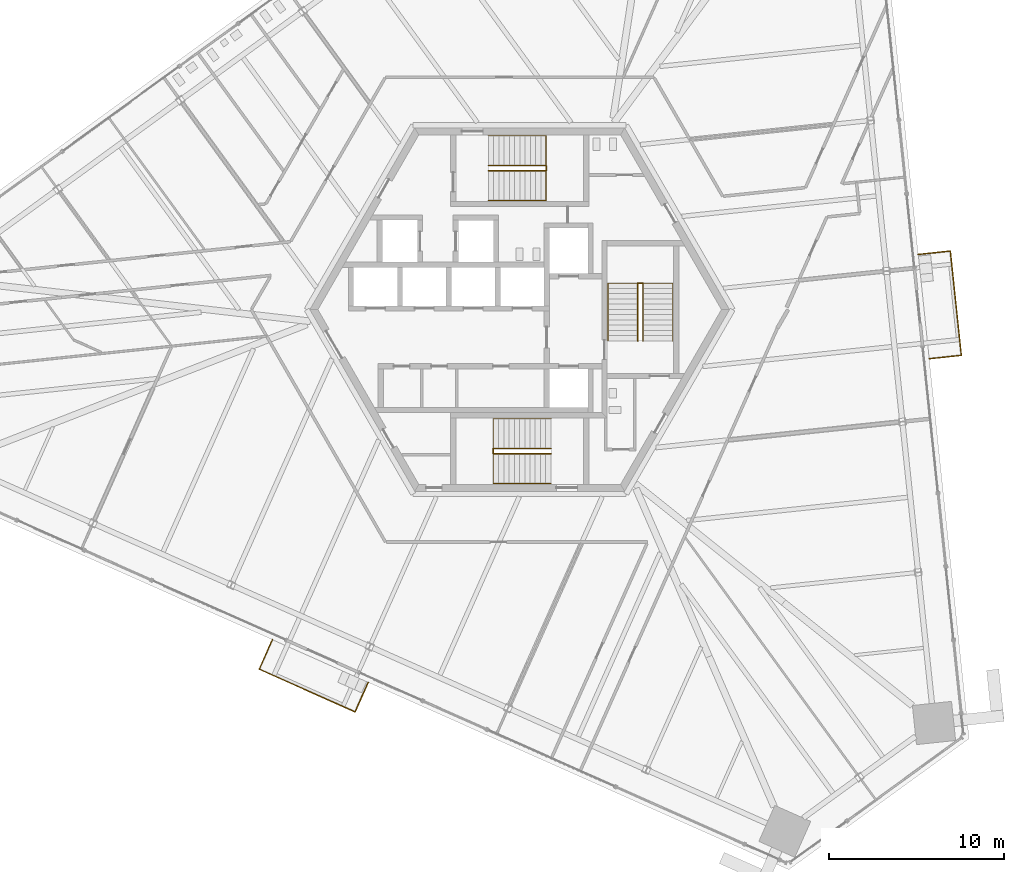
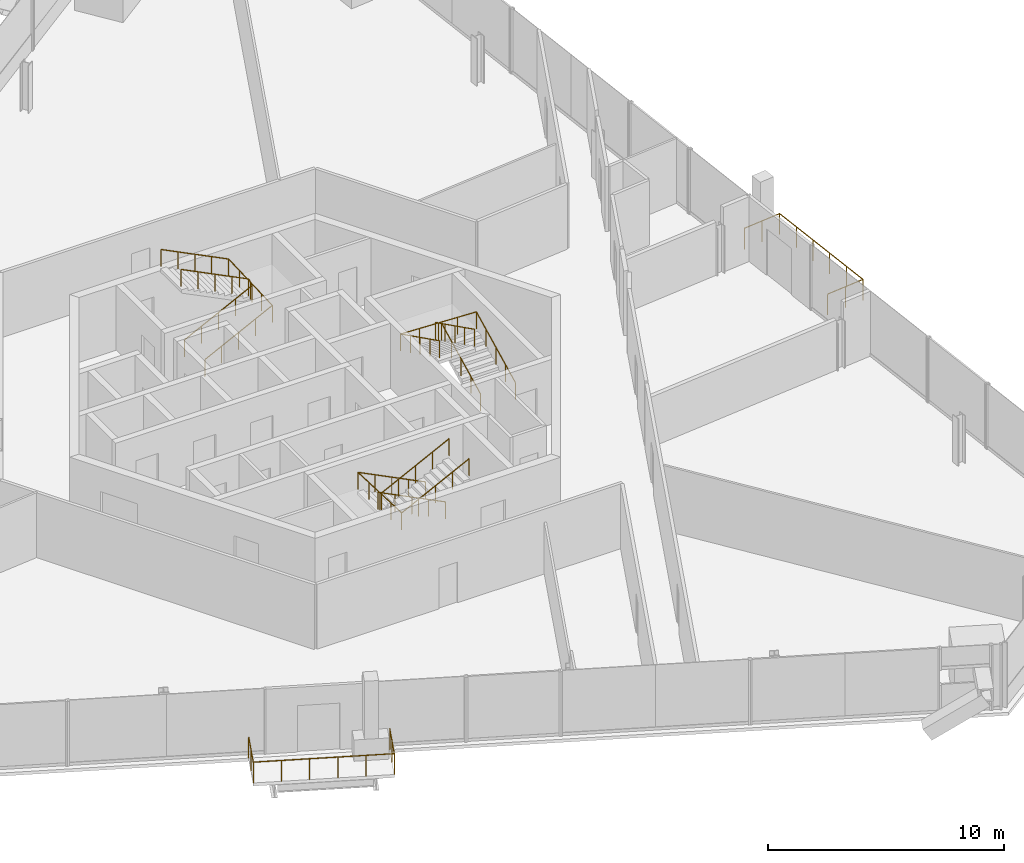
# One storey, part 22 of 25: 8 railings.
"""IFC4 building model written with IfcOpenShell, lengths in metres."""

from ifc_helpers import new_model, si_unit, direction, frame, origin, origin_2d, place, context, subcontext, project, spatial, circle, extrude, source, transform, mapped, material, type_object, element, save


model = new_model("IFC4")

# Units and contexts
model_context = context("Model", 3, precision=1e-05, world=origin(), true_north=direction((0.0, 1.0)))
body_context = subcontext(model_context, "Body", "Model", "MODEL_VIEW")
ifc_project = project(units=[si_unit("LENGTHUNIT", "METRE"), si_unit("AREAUNIT", "SQUARE_METRE"), si_unit("VOLUMEUNIT", "CUBIC_METRE"), si_unit("PLANEANGLEUNIT", "RADIAN"), si_unit("MASSUNIT", "GRAM", prefix="KILO")], contexts=[model_context])

# Site, building, storey
site_placement = place(None, origin())
site = spatial("IfcSite", under=ifc_project, at=site_placement, CompositionType="ELEMENT")
building_placement = place(site_placement, origin())
building = spatial("IfcBuilding", under=site, at=building_placement, Name="Triune Harvest Tower", CompositionType="ELEMENT")
storey_placement = place(building_placement, frame((0.0, 0.0, 90.89990234375)))
storey = spatial("IfcBuildingStorey", under=building, at=storey_placement, Name="L22", CompositionType="ELEMENT", Elevation=90.89990234375)

# Railings
ifc_material_1 = material(Name="Stainless steel AISI 316", Category="steel")
railing_type_1 = type_object("IfcRailingType", Name="Stair handrail", PredefinedType="HANDRAIL", material=ifc_material_1)
shared_shape_1 = source(origin(), body_context, "Body", "SweptSolid", [
    extrude(circle(Radius=0.02392578125, at=origin_2d()), frame((0.0, 0.0, 0.8759765625), z_axis=(0.894440424912, 0.0, 0.447187126696), x_axis=(0.0, 1.0, 0.0)), (0.0, 0.0, 1.0), 3.689453125),
    extrude(circle(Radius=0.02392578125, at=origin_2d()), frame((3.300048828125, 0.0, 2.52587890625), z_axis=(0.0, 0.999177620331, 0.040547293732), x_axis=(-1.0, 0.0, 0.0)), (0.0, 0.0, 1.0), 3.702880859375),
    extrude(circle(Radius=0.02392578125, at=origin_2d()), frame((3.300048828125, 3.699951171875, 2.67578125), z_axis=(-0.894440424912, 0.0, 0.447187126696), x_axis=(0.0, -1.0, 0.0)), (0.0, 0.0, 1.0), 3.689453125),
    extrude(circle(Radius=0.02099609375, at=origin_2d()), origin(), (0.0, 0.0, 1.0), 0.851806640625),
    extrude(circle(Radius=0.02099609375, at=origin_2d()), frame((0.824951171875, 0.0, 0.41259765625)), (0.0, 0.0, 1.0), 0.851806640625),
    extrude(circle(Radius=0.02099609375, at=origin_2d()), frame((1.64990234375, 0.0, 0.824951171875)), (0.0, 0.0, 1.0), 0.851806640625),
    extrude(circle(Radius=0.02099609375, at=origin_2d()), frame((2.47509765625, 0.0, 1.2373046875)), (0.0, 0.0, 1.0), 0.851806640625),
    extrude(circle(Radius=0.02099609375, at=origin_2d()), frame((3.300048828125, 0.0, 1.64990234375)), (0.0, 0.0, 1.0), 0.851806640625),
    extrude(circle(Radius=0.02099609375, at=origin_2d()), frame((3.300048828125, 0.925048828125, 1.6875)), (0.0, 0.0, 1.0), 0.851806640625),
    extrude(circle(Radius=0.02099609375, at=origin_2d()), frame((3.300048828125, 1.85009765625, 1.72509765625)), (0.0, 0.0, 1.0), 0.851806640625),
    extrude(circle(Radius=0.02099609375, at=origin_2d()), frame((3.300048828125, 2.77490234375, 1.762451171875)), (0.0, 0.0, 1.0), 0.851806640625),
    extrude(circle(Radius=0.02099609375, at=origin_2d()), frame((3.300048828125, 3.699951171875, 1.800048828125)), (0.0, 0.0, 1.0), 0.851806640625),
    extrude(circle(Radius=0.02099609375, at=origin_2d()), frame((2.47509765625, 3.699951171875, 2.21240234375)), (0.0, 0.0, 1.0), 0.851806640625),
    extrude(circle(Radius=0.02099609375, at=origin_2d()), frame((1.64990234375, 3.699951171875, 2.625)), (0.0, 0.0, 1.0), 0.851806640625),
    extrude(circle(Radius=0.02099609375, at=origin_2d()), frame((0.824951171875, 3.699951171875, 3.03759765625)), (0.0, 0.0, 1.0), 0.851806640625),
    extrude(circle(Radius=0.02099609375, at=origin_2d()), frame((0.0, 3.699951171875, 3.449951171875)), (0.0, 0.0, 1.0), 0.851806640625),
])
railing_1_placement = place(storey_placement, frame((-1.7900390625, 6.239990234375, 0.150146484375)))
element("IfcRailing", 1, at=railing_1_placement, inside=storey, type_object=railing_type_1, Name="Exit stair north wall handrail", PredefinedType="HANDRAIL", context=body_context, shape_type="MappedRepresentation", body=[
    mapped(shared_shape_1, transform((0.0, 0.0, 0.0), scale=1.0)),
])
shared_shape_2 = source(origin(), body_context, "Body", "SweptSolid", [
    extrude(circle(Radius=0.02392578125, at=origin_2d()), frame((0.0, 0.0, 0.8759765625), z_axis=(0.894440424912, 0.0, 0.447187126696), x_axis=(0.0, 1.0, 0.0)), (0.0, 0.0, 1.0), 3.689453125),
    extrude(circle(Radius=0.02392578125, at=origin_2d()), frame((3.300048828125, 0.0, 2.52587890625), z_axis=(0.0, 0.894281613681, 0.447504631744), x_axis=(-1.0, 0.0, 0.0)), (0.0, 0.0, 1.0), 0.33544921875),
    extrude(circle(Radius=0.02392578125, at=origin_2d()), frame((3.300048828125, 0.300048828125, 2.67578125), z_axis=(-0.894440424912, 0.0, 0.447187126696), x_axis=(0.0, -1.0, 0.0)), (0.0, 0.0, 1.0), 3.689453125),
    extrude(circle(Radius=0.02099609375, at=origin_2d()), origin(), (0.0, 0.0, 1.0), 0.851806640625),
    extrude(circle(Radius=0.02099609375, at=origin_2d()), frame((0.824951171875, 0.0, 0.41259765625)), (0.0, 0.0, 1.0), 0.851806640625),
    extrude(circle(Radius=0.02099609375, at=origin_2d()), frame((1.64990234375, 0.0, 0.824951171875)), (0.0, 0.0, 1.0), 0.851806640625),
    extrude(circle(Radius=0.02099609375, at=origin_2d()), frame((2.47509765625, 0.0, 1.2373046875)), (0.0, 0.0, 1.0), 0.851806640625),
    extrude(circle(Radius=0.02099609375, at=origin_2d()), frame((3.300048828125, 0.0, 1.64990234375)), (0.0, 0.0, 1.0), 0.851806640625),
    extrude(circle(Radius=0.02099609375, at=origin_2d()), frame((3.300048828125, 0.300048828125, 1.800048828125)), (0.0, 0.0, 1.0), 0.851806640625),
    extrude(circle(Radius=0.02099609375, at=origin_2d()), frame((2.47509765625, 0.300048828125, 2.21240234375)), (0.0, 0.0, 1.0), 0.851806640625),
    extrude(circle(Radius=0.02099609375, at=origin_2d()), frame((1.64990234375, 0.300048828125, 2.625)), (0.0, 0.0, 1.0), 0.851806640625),
    extrude(circle(Radius=0.02099609375, at=origin_2d()), frame((0.824951171875, 0.300048828125, 3.03759765625)), (0.0, 0.0, 1.0), 0.851806640625),
    extrude(circle(Radius=0.02099609375, at=origin_2d()), frame((0.0, 0.300048828125, 3.449951171875)), (0.0, 0.0, 1.0), 0.851806640625),
])
railing_2_placement = place(storey_placement, frame((-1.7900390625, 7.93994140625, 0.150146484375)))
element("IfcRailing", 2, at=railing_2_placement, inside=storey, type_object=railing_type_1, Name="Exit stair north centre handrail", PredefinedType="HANDRAIL", context=body_context, shape_type="MappedRepresentation", body=[
    mapped(shared_shape_2, transform((0.0, 0.0, 0.0), scale=1.0)),
])
shared_shape_3 = source(origin(), body_context, "Body", "SweptSolid", [
    extrude(circle(Radius=0.02392578125, at=origin_2d()), frame((0.0, 0.0, 0.8759765625), z_axis=(-0.894440424912, 0.0, 0.447187126696), x_axis=(0.0, -1.0, 0.0)), (0.0, 0.0, 1.0), 3.689453125),
    extrude(circle(Radius=0.02392578125, at=origin_2d()), frame((-3.300048828125, 0.0, 2.52587890625), z_axis=(0.0, -0.999177620331, 0.040547293732), x_axis=(1.0, 0.0, 0.0)), (0.0, 0.0, 1.0), 3.702880859375),
    extrude(circle(Radius=0.02392578125, at=origin_2d()), frame((-3.300048828125, -3.699951171875, 2.67578125), z_axis=(0.894440424912, 0.0, 0.447187126696), x_axis=(0.0, 1.0, 0.0)), (0.0, 0.0, 1.0), 3.689453125),
    extrude(circle(Radius=0.02099609375, at=origin_2d()), origin(), (0.0, 0.0, 1.0), 0.851806640625),
    extrude(circle(Radius=0.02099609375, at=origin_2d()), frame((-0.824951171875, 0.0, 0.41259765625)), (0.0, 0.0, 1.0), 0.851806640625),
    extrude(circle(Radius=0.02099609375, at=origin_2d()), frame((-1.64990234375, 0.0, 0.824951171875)), (0.0, 0.0, 1.0), 0.851806640625),
    extrude(circle(Radius=0.02099609375, at=origin_2d()), frame((-2.47509765625, 0.0, 1.2373046875)), (0.0, 0.0, 1.0), 0.851806640625),
    extrude(circle(Radius=0.02099609375, at=origin_2d()), frame((-3.300048828125, 0.0, 1.64990234375)), (0.0, 0.0, 1.0), 0.851806640625),
    extrude(circle(Radius=0.02099609375, at=origin_2d()), frame((-3.300048828125, -0.925048828125, 1.6875)), (0.0, 0.0, 1.0), 0.851806640625),
    extrude(circle(Radius=0.02099609375, at=origin_2d()), frame((-3.300048828125, -1.85009765625, 1.72509765625)), (0.0, 0.0, 1.0), 0.851806640625),
    extrude(circle(Radius=0.02099609375, at=origin_2d()), frame((-3.300048828125, -2.77490234375, 1.762451171875)), (0.0, 0.0, 1.0), 0.851806640625),
    extrude(circle(Radius=0.02099609375, at=origin_2d()), frame((-3.300048828125, -3.699951171875, 1.800048828125)), (0.0, 0.0, 1.0), 0.851806640625),
    extrude(circle(Radius=0.02099609375, at=origin_2d()), frame((-2.47509765625, -3.699951171875, 2.21240234375)), (0.0, 0.0, 1.0), 0.851806640625),
    extrude(circle(Radius=0.02099609375, at=origin_2d()), frame((-1.64990234375, -3.699951171875, 2.625)), (0.0, 0.0, 1.0), 0.851806640625),
    extrude(circle(Radius=0.02099609375, at=origin_2d()), frame((-0.824951171875, -3.699951171875, 3.03759765625)), (0.0, 0.0, 1.0), 0.851806640625),
    extrude(circle(Radius=0.02099609375, at=origin_2d()), frame((0.0, -3.699951171875, 3.449951171875)), (0.0, 0.0, 1.0), 0.851806640625),
])
railing_3_placement = place(storey_placement, frame((1.7900390625, -6.239990234375, 0.150146484375)))
element("IfcRailing", 3, at=railing_3_placement, inside=storey, type_object=railing_type_1, Name="Exit stair south wall handrail", PredefinedType="HANDRAIL", context=body_context, shape_type="MappedRepresentation", body=[
    mapped(shared_shape_3, transform((0.0, 0.0, 0.0), scale=1.0)),
])
shared_shape_4 = source(origin(), body_context, "Body", "SweptSolid", [
    extrude(circle(Radius=0.02392578125, at=origin_2d()), frame((0.0, 0.0, 0.8759765625), z_axis=(-0.894440424912, 0.0, 0.447187126696), x_axis=(0.0, -1.0, 0.0)), (0.0, 0.0, 1.0), 3.689453125),
    extrude(circle(Radius=0.02392578125, at=origin_2d()), frame((-3.300048828125, 0.0, 2.52587890625), z_axis=(0.0, -0.894281613681, 0.447504631744), x_axis=(1.0, 0.0, 0.0)), (0.0, 0.0, 1.0), 0.33544921875),
    extrude(circle(Radius=0.02392578125, at=origin_2d()), frame((-3.300048828125, -0.300048828125, 2.67578125), z_axis=(0.894440424912, 0.0, 0.447187126696), x_axis=(0.0, 1.0, 0.0)), (0.0, 0.0, 1.0), 3.689453125),
    extrude(circle(Radius=0.02099609375, at=origin_2d()), origin(), (0.0, 0.0, 1.0), 0.851806640625),
    extrude(circle(Radius=0.02099609375, at=origin_2d()), frame((-0.824951171875, 0.0, 0.41259765625)), (0.0, 0.0, 1.0), 0.851806640625),
    extrude(circle(Radius=0.02099609375, at=origin_2d()), frame((-1.64990234375, 0.0, 0.824951171875)), (0.0, 0.0, 1.0), 0.851806640625),
    extrude(circle(Radius=0.02099609375, at=origin_2d()), frame((-2.47509765625, 0.0, 1.2373046875)), (0.0, 0.0, 1.0), 0.851806640625),
    extrude(circle(Radius=0.02099609375, at=origin_2d()), frame((-3.300048828125, 0.0, 1.64990234375)), (0.0, 0.0, 1.0), 0.851806640625),
    extrude(circle(Radius=0.02099609375, at=origin_2d()), frame((-3.300048828125, -0.300048828125, 1.800048828125)), (0.0, 0.0, 1.0), 0.851806640625),
    extrude(circle(Radius=0.02099609375, at=origin_2d()), frame((-2.47509765625, -0.300048828125, 2.21240234375)), (0.0, 0.0, 1.0), 0.851806640625),
    extrude(circle(Radius=0.02099609375, at=origin_2d()), frame((-1.64990234375, -0.300048828125, 2.625)), (0.0, 0.0, 1.0), 0.851806640625),
    extrude(circle(Radius=0.02099609375, at=origin_2d()), frame((-0.824951171875, -0.300048828125, 3.03759765625)), (0.0, 0.0, 1.0), 0.851806640625),
    extrude(circle(Radius=0.02099609375, at=origin_2d()), frame((0.0, -0.300048828125, 3.449951171875)), (0.0, 0.0, 1.0), 0.851806640625),
])
railing_4_placement = place(storey_placement, frame((1.7900390625, -7.93994140625, 0.150146484375)))
element("IfcRailing", 4, at=railing_4_placement, inside=storey, type_object=railing_type_1, Name="Exit stair south centre handrail", PredefinedType="HANDRAIL", context=body_context, shape_type="MappedRepresentation", body=[
    mapped(shared_shape_4, transform((0.0, 0.0, 0.0), scale=1.0)),
])
shared_shape_5 = source(origin(), body_context, "Body", "SweptSolid", [
    extrude(circle(Radius=0.02392578125, at=origin_2d()), frame((0.0, 0.0, 0.8759765625), z_axis=(0.0, 0.894440424912, 0.447187126696), x_axis=(-1.0, 0.0, 0.0)), (0.0, 0.0, 1.0), 3.689453125),
    extrude(circle(Radius=0.02392578125, at=origin_2d()), frame((0.0, 3.300048828125, 2.52587890625), z_axis=(-0.999177620331, 0.0, 0.040547293732), x_axis=(0.0, -1.0, 0.0)), (0.0, 0.0, 1.0), 3.702880859375),
    extrude(circle(Radius=0.02392578125, at=origin_2d()), frame((-3.699951171875, 3.300048828125, 2.67578125), z_axis=(0.0, -0.894440424912, 0.447187126696), x_axis=(1.0, 0.0, 0.0)), (0.0, 0.0, 1.0), 3.689453125),
    extrude(circle(Radius=0.02099609375, at=origin_2d()), origin(), (0.0, 0.0, 1.0), 0.851806640625),
    extrude(circle(Radius=0.02099609375, at=origin_2d()), frame((0.0, 0.824951171875, 0.41259765625)), (0.0, 0.0, 1.0), 0.851806640625),
    extrude(circle(Radius=0.02099609375, at=origin_2d()), frame((0.0, 1.64990234375, 0.824951171875)), (0.0, 0.0, 1.0), 0.851806640625),
    extrude(circle(Radius=0.02099609375, at=origin_2d()), frame((0.0, 2.47509765625, 1.2373046875)), (0.0, 0.0, 1.0), 0.851806640625),
    extrude(circle(Radius=0.02099609375, at=origin_2d()), frame((0.0, 3.300048828125, 1.64990234375)), (0.0, 0.0, 1.0), 0.851806640625),
    extrude(circle(Radius=0.02099609375, at=origin_2d()), frame((-0.925048828125, 3.300048828125, 1.6875)), (0.0, 0.0, 1.0), 0.851806640625),
    extrude(circle(Radius=0.02099609375, at=origin_2d()), frame((-1.85009765625, 3.300048828125, 1.72509765625)), (0.0, 0.0, 1.0), 0.851806640625),
    extrude(circle(Radius=0.02099609375, at=origin_2d()), frame((-2.77490234375, 3.300048828125, 1.762451171875)), (0.0, 0.0, 1.0), 0.851806640625),
    extrude(circle(Radius=0.02099609375, at=origin_2d()), frame((-3.699951171875, 3.300048828125, 1.800048828125)), (0.0, 0.0, 1.0), 0.851806640625),
    extrude(circle(Radius=0.02099609375, at=origin_2d()), frame((-3.699951171875, 2.47509765625, 2.21240234375)), (0.0, 0.0, 1.0), 0.851806640625),
    extrude(circle(Radius=0.02099609375, at=origin_2d()), frame((-3.699951171875, 1.64990234375, 2.625)), (0.0, 0.0, 1.0), 0.851806640625),
    extrude(circle(Radius=0.02099609375, at=origin_2d()), frame((-3.699951171875, 0.824951171875, 3.03759765625)), (0.0, 0.0, 1.0), 0.851806640625),
    extrude(circle(Radius=0.02099609375, at=origin_2d()), frame((-3.699951171875, 0.0, 3.449951171875)), (0.0, 0.0, 1.0), 0.851806640625),
])
railing_5_placement = place(storey_placement, frame((8.75, -1.7900390625, 0.150146484375)))
element("IfcRailing", 5, at=railing_5_placement, inside=storey, type_object=railing_type_1, Name="Exit stair east wall handrail", PredefinedType="HANDRAIL", context=body_context, shape_type="MappedRepresentation", body=[
    mapped(shared_shape_5, transform((0.0, 0.0, 0.0), scale=1.0)),
])
shared_shape_6 = source(origin(), body_context, "Body", "SweptSolid", [
    extrude(circle(Radius=0.02392578125, at=origin_2d()), frame((0.0, 0.0, 0.8759765625), z_axis=(0.0, 0.894440424912, 0.447187126696), x_axis=(-1.0, 0.0, 0.0)), (0.0, 0.0, 1.0), 3.689453125),
    extrude(circle(Radius=0.02392578125, at=origin_2d()), frame((0.0, 3.300048828125, 2.52587890625), z_axis=(-0.894281613681, 0.0, 0.447504631744), x_axis=(0.0, -1.0, 0.0)), (0.0, 0.0, 1.0), 0.33544921875),
    extrude(circle(Radius=0.02392578125, at=origin_2d()), frame((-0.300048828125, 3.300048828125, 2.67578125), z_axis=(0.0, -0.894440424912, 0.447187126696), x_axis=(1.0, 0.0, 0.0)), (0.0, 0.0, 1.0), 3.689453125),
    extrude(circle(Radius=0.02099609375, at=origin_2d()), origin(), (0.0, 0.0, 1.0), 0.851806640625),
    extrude(circle(Radius=0.02099609375, at=origin_2d()), frame((0.0, 0.824951171875, 0.41259765625)), (0.0, 0.0, 1.0), 0.851806640625),
    extrude(circle(Radius=0.02099609375, at=origin_2d()), frame((0.0, 1.64990234375, 0.824951171875)), (0.0, 0.0, 1.0), 0.851806640625),
    extrude(circle(Radius=0.02099609375, at=origin_2d()), frame((0.0, 2.47509765625, 1.2373046875)), (0.0, 0.0, 1.0), 0.851806640625),
    extrude(circle(Radius=0.02099609375, at=origin_2d()), frame((0.0, 3.300048828125, 1.64990234375)), (0.0, 0.0, 1.0), 0.851806640625),
    extrude(circle(Radius=0.02099609375, at=origin_2d()), frame((-0.300048828125, 3.300048828125, 1.800048828125)), (0.0, 0.0, 1.0), 0.851806640625),
    extrude(circle(Radius=0.02099609375, at=origin_2d()), frame((-0.300048828125, 2.47509765625, 2.21240234375)), (0.0, 0.0, 1.0), 0.851806640625),
    extrude(circle(Radius=0.02099609375, at=origin_2d()), frame((-0.300048828125, 1.64990234375, 2.625)), (0.0, 0.0, 1.0), 0.851806640625),
    extrude(circle(Radius=0.02099609375, at=origin_2d()), frame((-0.300048828125, 0.824951171875, 3.03759765625)), (0.0, 0.0, 1.0), 0.851806640625),
    extrude(circle(Radius=0.02099609375, at=origin_2d()), frame((-0.300048828125, 0.0, 3.449951171875)), (0.0, 0.0, 1.0), 0.851806640625),
])
railing_6_placement = place(storey_placement, frame((7.050048828125, -1.7900390625, 0.150146484375)))
element("IfcRailing", 6, at=railing_6_placement, inside=storey, type_object=railing_type_1, Name="Exit stair east centre handrail", PredefinedType="HANDRAIL", context=body_context, shape_type="MappedRepresentation", body=[
    mapped(shared_shape_6, transform((0.0, 0.0, 0.0), scale=1.0)),
])
ifc_material_2 = material(Name="Glass", Category="glass")
railing_type_2 = type_object("IfcRailingType", Name="GD-2 balcony guard 1100", PredefinedType="GUARDRAIL", material=ifc_material_2)
shared_shape_7 = source(origin(), body_context, "Body", "SweptSolid", [
    extrude(circle(Radius=0.02392578125, at=origin_2d()), frame((0.0, 0.0, 1.076171875), z_axis=(0.994504727672, 0.104691674153, 0.0), x_axis=(-0.104691674153, 0.994504727672, 0.0)), (0.0, 0.0, 1.0), 1.8447265625),
    extrude(circle(Radius=0.02392578125, at=origin_2d()), frame((1.83447265625, 0.193115234375, 1.076171875), z_axis=(-0.104534394972, 0.994521271903, 0.0), x_axis=(-0.994521271903, -0.104534394972, 0.0)), (0.0, 0.0, 1.0), 6.0),
    extrude(circle(Radius=0.02392578125, at=origin_2d()), frame((1.207275390625, 6.16015625, 1.076171875), z_axis=(-0.99451994617, -0.104547006983, 0.0), x_axis=(0.104547006983, -0.99451994617, 0.0)), (0.0, 0.0, 1.0), 1.8447265625),
    extrude(circle(Radius=0.02099609375, at=origin_2d()), origin(), (0.0, 0.0, 1.0), 1.052001953125),
    extrude(circle(Radius=0.02099609375, at=origin_2d()), frame((0.917236328125, 0.0966796875, 0.0)), (0.0, 0.0, 1.0), 1.052001953125),
    extrude(circle(Radius=0.02099609375, at=origin_2d()), frame((1.83447265625, 0.193115234375, 0.0)), (0.0, 0.0, 1.0), 1.052001953125),
    extrude(circle(Radius=0.02099609375, at=origin_2d()), frame((1.708984375, 1.386474609375, 0.0)), (0.0, 0.0, 1.0), 1.052001953125),
    extrude(circle(Radius=0.02099609375, at=origin_2d()), frame((1.58349609375, 2.579833984375, 0.0)), (0.0, 0.0, 1.0), 1.052001953125),
    extrude(circle(Radius=0.02099609375, at=origin_2d()), frame((1.458251953125, 3.7734375, 0.0)), (0.0, 0.0, 1.0), 1.052001953125),
    extrude(circle(Radius=0.02099609375, at=origin_2d()), frame((1.332763671875, 4.966796875, 0.0)), (0.0, 0.0, 1.0), 1.052001953125),
    extrude(circle(Radius=0.02099609375, at=origin_2d()), frame((1.207275390625, 6.16015625, 0.0)), (0.0, 0.0, 1.0), 1.052001953125),
    extrude(circle(Radius=0.02099609375, at=origin_2d()), frame((0.2900390625, 6.063720703125, 0.0)), (0.0, 0.0, 1.0), 1.052001953125),
    extrude(circle(Radius=0.02099609375, at=origin_2d()), frame((-0.62744140625, 5.96728515625, 0.0)), (0.0, 0.0, 1.0), 1.052001953125),
])
railing_7_placement = place(storey_placement, frame((23.419921875, -2.810302734375, 0.0)))
element("IfcRailing", 7, at=railing_7_placement, inside=storey, type_object=railing_type_2, Name="Balcony guard B2-F1 L22.6", PredefinedType="GUARDRAIL", context=body_context, shape_type="MappedRepresentation", body=[
    mapped(shared_shape_7, transform((0.0, 0.0, 0.0), scale=1.0)),
])
shared_shape_8 = source(origin(), body_context, "Body", "SweptSolid", [
    extrude(circle(Radius=0.02392578125, at=origin_2d()), frame((0.0, 0.0, 1.076171875), z_axis=(-0.406740135234, -0.913543902826, 0.0), x_axis=(0.913543902826, -0.406740135234, 0.0)), (0.0, 0.0, 1.0), 1.844482421875),
    extrude(circle(Radius=0.02392578125, at=origin_2d()), frame((-0.750244140625, -1.68505859375, 1.076171875), z_axis=(0.913542875427, -0.406742442776, 0.0), x_axis=(0.406742442776, 0.913542875427, 0.0)), (0.0, 0.0, 1.0), 6.0),
    extrude(circle(Radius=0.02392578125, at=origin_2d()), frame((4.73095703125, -4.12548828125, 1.076171875), z_axis=(0.406850588418, 0.913494717392, 0.0), x_axis=(-0.913494717392, 0.406850588418, 0.0)), (0.0, 0.0, 1.0), 1.8447265625),
    extrude(circle(Radius=0.02099609375, at=origin_2d()), origin(), (0.0, 0.0, 1.0), 1.052001953125),
    extrude(circle(Radius=0.02099609375, at=origin_2d()), frame((-0.375, -0.842529296875, 0.0)), (0.0, 0.0, 1.0), 1.052001953125),
    extrude(circle(Radius=0.02099609375, at=origin_2d()), frame((-0.750244140625, -1.68505859375, 0.0)), (0.0, 0.0, 1.0), 1.052001953125),
    extrude(circle(Radius=0.02099609375, at=origin_2d()), frame((0.345947265625, -2.173095703125, 0.0)), (0.0, 0.0, 1.0), 1.052001953125),
    extrude(circle(Radius=0.02099609375, at=origin_2d()), frame((1.442138671875, -2.6611328125, 0.0)), (0.0, 0.0, 1.0), 1.052001953125),
    extrude(circle(Radius=0.02099609375, at=origin_2d()), frame((2.53857421875, -3.1494140625, 0.0)), (0.0, 0.0, 1.0), 1.052001953125),
    extrude(circle(Radius=0.02099609375, at=origin_2d()), frame((3.634765625, -3.637451171875, 0.0)), (0.0, 0.0, 1.0), 1.052001953125),
    extrude(circle(Radius=0.02099609375, at=origin_2d()), frame((4.73095703125, -4.12548828125, 0.0)), (0.0, 0.0, 1.0), 1.052001953125),
    extrude(circle(Radius=0.02099609375, at=origin_2d()), frame((5.106201171875, -3.282958984375, 0.0)), (0.0, 0.0, 1.0), 1.052001953125),
    extrude(circle(Radius=0.02099609375, at=origin_2d()), frame((5.4814453125, -2.4404296875, 0.0)), (0.0, 0.0, 1.0), 1.052001953125),
])
railing_8_placement = place(storey_placement, frame((-14.1435546875, -18.877197265625, 0.0)))
element("IfcRailing", 8, at=railing_8_placement, inside=storey, type_object=railing_type_2, Name="Balcony guard B2-F5 L22.6", PredefinedType="GUARDRAIL", context=body_context, shape_type="MappedRepresentation", body=[
    mapped(shared_shape_8, transform((0.0, 0.0, 0.0), scale=1.0)),
])

save(model, "model.ifc")
